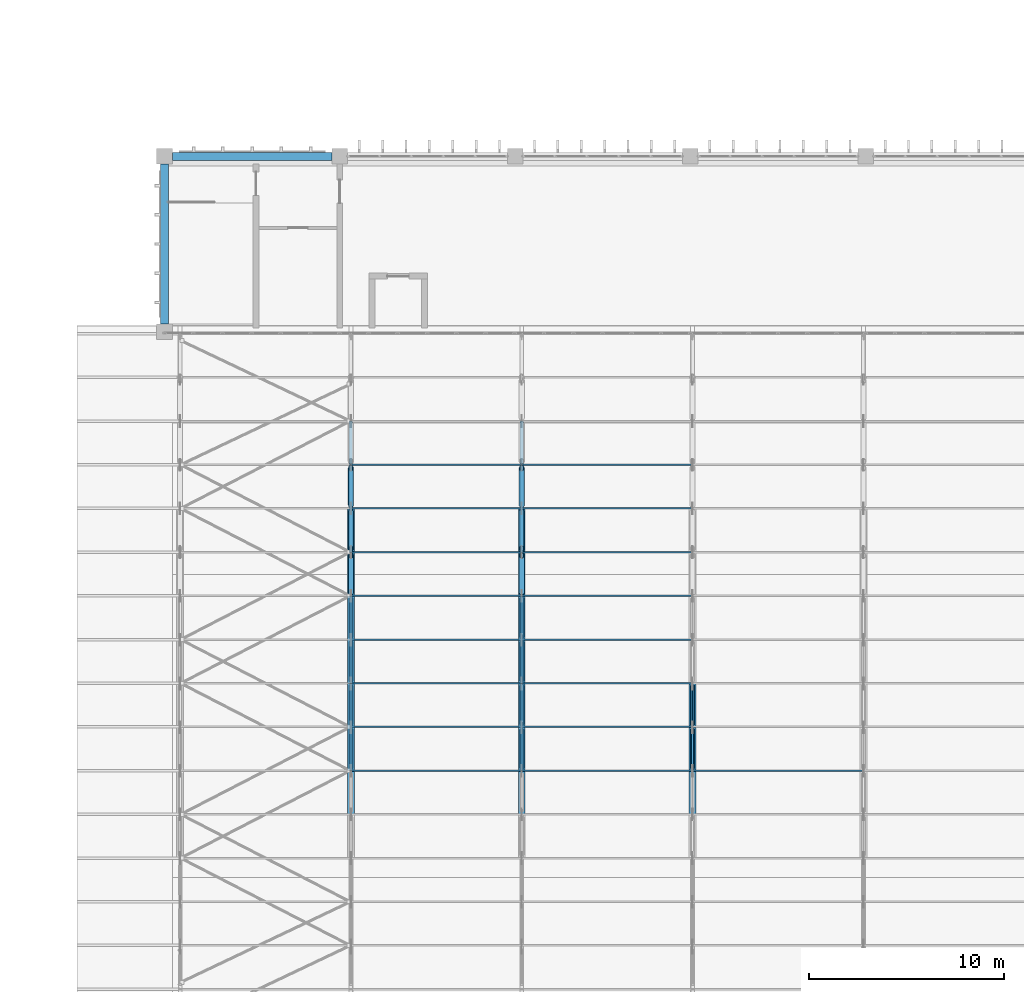
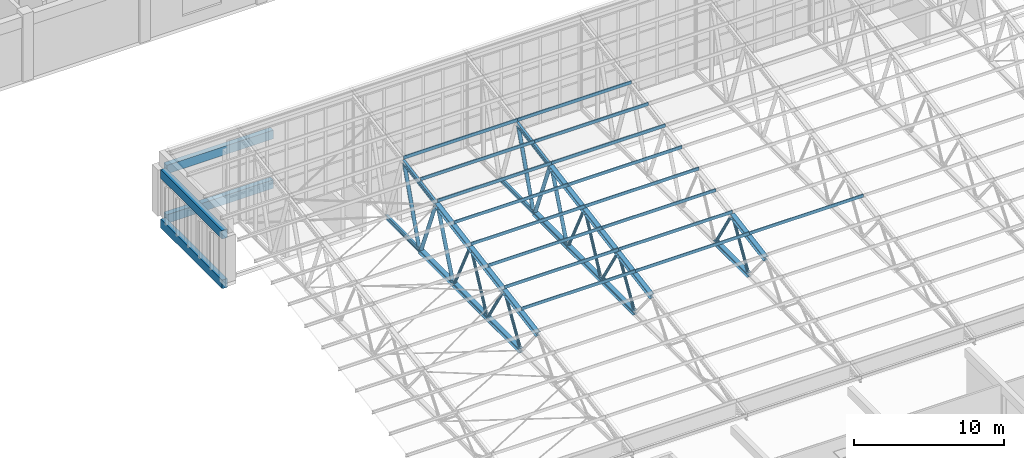
# One storey, part 52 of 185: 51 members, 4 beams.
"""IFC4 building model written with IfcOpenShell, lengths in metres."""

from ifc_helpers import new_model, si_unit, direction, frame, origin, origin_2d, place, context, subcontext, project, spatial, polyline, rectangle, hollow_circle, i_section, outline, extrude, material, material_profile, profile_set, type_object, element, save


model = new_model("IFC4")

# Units and contexts
model_context = context("Model", 3, precision=1e-05, world=origin(), true_north=direction((0.0, 1.0)))
body_context = subcontext(model_context, "Body", "Model", "MODEL_VIEW")
ifc_project = project(units=[si_unit("LENGTHUNIT", "METRE"), si_unit("AREAUNIT", "SQUARE_METRE"), si_unit("VOLUMEUNIT", "CUBIC_METRE"), si_unit("PLANEANGLEUNIT", "RADIAN"), si_unit("MASSUNIT", "GRAM", prefix="KILO")], contexts=[model_context])

# Site, building, storey
site_placement = place(None, origin())
site = spatial("IfcSite", under=ifc_project, at=site_placement, CompositionType="ELEMENT")
building_placement = place(site_placement, origin())
building = spatial("IfcBuilding", under=site, at=building_placement, Name="Opaline Strait Convention Centre", CompositionType="ELEMENT")
storey_placement = place(building_placement, frame((0.0, 0.0, 6.0)))
storey = spatial("IfcBuildingStorey", under=building, at=storey_placement, Name="L01", CompositionType="ELEMENT", Elevation=6.0)

# Beams
ifc_material_1 = material(Name="Concrete C35", Category="concrete")
ifc_material_profile_1 = material_profile(ifc_material_1, rectangle(XDim=0.39990234375, YDim=0.699951171875, at=origin_2d()), Name="RC 400x700")
ifc_profile_set_1 = profile_set([ifc_material_profile_1], Name="Concrete C35")
beam_type = type_object("IfcBeamType", Name="RC girder 400x700 C35", PredefinedType="BEAM", material=ifc_profile_set_1)
for number, where, z_axis, x_axis, name in (
    (1, (288.39990234375, 72.0, -0.6298828125), (1.0, 0.0, 0.0), (0.0, 1.0, 0.0), "BB1 girder 33/J-34/J F"),
    (2, (288.0, 63.39990234375, -0.6298828125), (0.0, 1.0, 0.0), (-1.0, 0.0, 0.0), "BB1 girder 33/H-33/J F"),
    (3, (288.39990234375, 72.0, 3.39990234375), (1.0, 0.0, 0.0), (0.0, 1.0, 0.0), "BB1 girder 33/J-34/J R"),
    (4, (288.0, 63.39990234375, 3.39990234375), (0.0, 1.0, 0.0), (-1.0, 0.0, 0.0), "BB1 girder 33/H-33/J R"),
):
    element("IfcBeam", number, at=place(storey_placement, frame(where, z_axis=z_axis, x_axis=x_axis)), inside=storey, type_object=beam_type, Name=name, PredefinedType="BEAM", context=body_context, shape_type="SweptSolid", body=[
        extrude(rectangle(XDim=0.39990234375, YDim=0.699951171875, at=origin_2d()), origin(), (0.0, 0.0, 1.0), 8.2001953125),
    ])

# Members
ifc_material_2 = material(Name="Steel Q355B", Category="steel")
ifc_material_profile_2 = material_profile(ifc_material_2, outline(polyline([(-0.03759765625, -0.125), (0.03759765625, -0.125), (0.03759765625, -0.10498046875), (0.034423828125, -0.10498046875), (0.034423828125, -0.1220703125), (-0.034423828125, -0.1220703125), (-0.034423828125, 0.1220703125), (0.034423828125, 0.1220703125), (0.034423828125, 0.10498046875), (0.03759765625, 0.10498046875), (0.03759765625, 0.125), (-0.03759765625, 0.125), (-0.03759765625, -0.125)])), Name="C 250x75x20x3")
ifc_profile_set_2 = profile_set([ifc_material_profile_2], Name="Steel Q355B")
member_type_1 = type_object("IfcMemberType", Name="Roof purlin C 250x75x20x3", PredefinedType="RAFTER", material=ifc_profile_set_2)
member_1_placement = place(storey_placement, frame((297.5712890625, 40.46240234375, 7.88427734375), z_axis=(1.0, 0.0, 0.0), x_axis=(0.0, 1.0, 0.0)))
element("IfcMember", 5, at=member_1_placement, inside=storey, type_object=member_type_1, Name="BU1 purlin line 8 bay 3", PredefinedType="RAFTER", context=body_context, shape_type="SweptSolid", body=[
    extrude(outline(polyline([(-0.03759765625, -0.125), (0.03759765625, -0.125), (0.03759765625, -0.10498046875), (0.034423828125, -0.10498046875), (0.034423828125, -0.1220703125), (-0.034423828125, -0.1220703125), (-0.034423828125, 0.1220703125), (0.034423828125, 0.1220703125), (0.034423828125, 0.10498046875), (0.03759765625, 0.10498046875), (0.03759765625, 0.125), (-0.03759765625, 0.125), (-0.03759765625, -0.125)])), origin(), (0.0, 0.0, 1.0), 8.771728515625),
])
member_2_placement = place(storey_placement, frame((306.343017578125, 40.46240234375, 7.88427734375), z_axis=(1.0, 0.0, 0.0), x_axis=(0.0, 1.0, 0.0)))
element("IfcMember", 6, at=member_2_placement, inside=storey, type_object=member_type_1, Name="BU1 purlin line 8 bay 4", PredefinedType="RAFTER", context=body_context, shape_type="SweptSolid", body=[
    extrude(outline(polyline([(-0.03759765625, -0.125), (0.03759765625, -0.125), (0.03759765625, -0.10498046875), (0.034423828125, -0.10498046875), (0.034423828125, -0.1220703125), (-0.034423828125, -0.1220703125), (-0.034423828125, 0.1220703125), (0.034423828125, 0.1220703125), (0.034423828125, 0.10498046875), (0.03759765625, 0.10498046875), (0.03759765625, 0.125), (-0.03759765625, 0.125), (-0.03759765625, -0.125)])), origin(), (0.0, 0.0, 1.0), 8.771240234375),
])
member_3_placement = place(storey_placement, frame((315.1142578125, 40.46240234375, 7.88427734375), z_axis=(1.0, 0.0, 0.0), x_axis=(0.0, 1.0, 0.0)))
element("IfcMember", 7, at=member_3_placement, inside=storey, type_object=member_type_1, Name="BU1 purlin line 8 bay 5", PredefinedType="RAFTER", context=body_context, shape_type="SweptSolid", body=[
    extrude(outline(polyline([(-0.03759765625, -0.125), (0.03759765625, -0.125), (0.03759765625, -0.10498046875), (0.034423828125, -0.10498046875), (0.034423828125, -0.1220703125), (-0.034423828125, -0.1220703125), (-0.034423828125, 0.1220703125), (0.034423828125, 0.1220703125), (0.034423828125, 0.10498046875), (0.03759765625, 0.10498046875), (0.03759765625, 0.125), (-0.03759765625, 0.125), (-0.03759765625, -0.125)])), origin(), (0.0, 0.0, 1.0), 8.771484375),
])
member_4_placement = place(storey_placement, frame((297.5712890625, 42.706298828125, 8.280029296875), z_axis=(1.0, 0.0, 0.0), x_axis=(0.0, 1.0, 0.0)))
element("IfcMember", 8, at=member_4_placement, inside=storey, type_object=member_type_1, Name="BU1 purlin line 9 bay 3", PredefinedType="RAFTER", context=body_context, shape_type="SweptSolid", body=[
    extrude(outline(polyline([(-0.03759765625, -0.125), (0.03759765625, -0.125), (0.03759765625, -0.10498046875), (0.034423828125, -0.10498046875), (0.034423828125, -0.1220703125), (-0.034423828125, -0.1220703125), (-0.034423828125, 0.1220703125), (0.034423828125, 0.1220703125), (0.034423828125, 0.10498046875), (0.03759765625, 0.10498046875), (0.03759765625, 0.125), (-0.03759765625, 0.125), (-0.03759765625, -0.125)])), origin(), (0.0, 0.0, 1.0), 8.771728515625),
])
member_5_placement = place(storey_placement, frame((306.343017578125, 42.706298828125, 8.280029296875), z_axis=(1.0, 0.0, 0.0), x_axis=(0.0, 1.0, 0.0)))
element("IfcMember", 9, at=member_5_placement, inside=storey, type_object=member_type_1, Name="BU1 purlin line 9 bay 4", PredefinedType="RAFTER", context=body_context, shape_type="SweptSolid", body=[
    extrude(outline(polyline([(-0.03759765625, -0.125), (0.03759765625, -0.125), (0.03759765625, -0.10498046875), (0.034423828125, -0.10498046875), (0.034423828125, -0.1220703125), (-0.034423828125, -0.1220703125), (-0.034423828125, 0.1220703125), (0.034423828125, 0.1220703125), (0.034423828125, 0.10498046875), (0.03759765625, 0.10498046875), (0.03759765625, 0.125), (-0.03759765625, 0.125), (-0.03759765625, -0.125)])), origin(), (0.0, 0.0, 1.0), 8.771240234375),
])
member_6_placement = place(storey_placement, frame((297.5712890625, 44.949951171875, 8.675537109375), z_axis=(1.0, 0.0, 0.0), x_axis=(0.0, 1.0, 0.0)))
element("IfcMember", 10, at=member_6_placement, inside=storey, type_object=member_type_1, Name="BU1 purlin line 10 bay 3", PredefinedType="RAFTER", context=body_context, shape_type="SweptSolid", body=[
    extrude(outline(polyline([(-0.03759765625, -0.125), (0.03759765625, -0.125), (0.03759765625, -0.10498046875), (0.034423828125, -0.10498046875), (0.034423828125, -0.1220703125), (-0.034423828125, -0.1220703125), (-0.034423828125, 0.1220703125), (0.034423828125, 0.1220703125), (0.034423828125, 0.10498046875), (0.03759765625, 0.10498046875), (0.03759765625, 0.125), (-0.03759765625, 0.125), (-0.03759765625, -0.125)])), origin(), (0.0, 0.0, 1.0), 8.771728515625),
])
member_7_placement = place(storey_placement, frame((306.343017578125, 44.949951171875, 8.675537109375), z_axis=(1.0, 0.0, 0.0), x_axis=(0.0, 1.0, 0.0)))
element("IfcMember", 11, at=member_7_placement, inside=storey, type_object=member_type_1, Name="BU1 purlin line 10 bay 4", PredefinedType="RAFTER", context=body_context, shape_type="SweptSolid", body=[
    extrude(outline(polyline([(-0.03759765625, -0.125), (0.03759765625, -0.125), (0.03759765625, -0.10498046875), (0.034423828125, -0.10498046875), (0.034423828125, -0.1220703125), (-0.034423828125, -0.1220703125), (-0.034423828125, 0.1220703125), (0.034423828125, 0.1220703125), (0.034423828125, 0.10498046875), (0.03759765625, 0.10498046875), (0.03759765625, 0.125), (-0.03759765625, 0.125), (-0.03759765625, -0.125)])), origin(), (0.0, 0.0, 1.0), 8.771240234375),
])
member_8_placement = place(storey_placement, frame((297.5712890625, 47.19384765625, 9.0712890625), z_axis=(1.0, 0.0, 0.0), x_axis=(0.0, 1.0, 0.0)))
element("IfcMember", 12, at=member_8_placement, inside=storey, type_object=member_type_1, Name="BU1 purlin line 11 bay 3", PredefinedType="RAFTER", context=body_context, shape_type="SweptSolid", body=[
    extrude(outline(polyline([(-0.03759765625, -0.125), (0.03759765625, -0.125), (0.03759765625, -0.10498046875), (0.034423828125, -0.10498046875), (0.034423828125, -0.1220703125), (-0.034423828125, -0.1220703125), (-0.034423828125, 0.1220703125), (0.034423828125, 0.1220703125), (0.034423828125, 0.10498046875), (0.03759765625, 0.10498046875), (0.03759765625, 0.125), (-0.03759765625, 0.125), (-0.03759765625, -0.125)])), origin(), (0.0, 0.0, 1.0), 8.771728515625),
])
member_9_placement = place(storey_placement, frame((306.343017578125, 47.19384765625, 9.0712890625), z_axis=(1.0, 0.0, 0.0), x_axis=(0.0, 1.0, 0.0)))
element("IfcMember", 13, at=member_9_placement, inside=storey, type_object=member_type_1, Name="BU1 purlin line 11 bay 4", PredefinedType="RAFTER", context=body_context, shape_type="SweptSolid", body=[
    extrude(outline(polyline([(-0.03759765625, -0.125), (0.03759765625, -0.125), (0.03759765625, -0.10498046875), (0.034423828125, -0.10498046875), (0.034423828125, -0.1220703125), (-0.034423828125, -0.1220703125), (-0.034423828125, 0.1220703125), (0.034423828125, 0.1220703125), (0.034423828125, 0.10498046875), (0.03759765625, 0.10498046875), (0.03759765625, 0.125), (-0.03759765625, 0.125), (-0.03759765625, -0.125)])), origin(), (0.0, 0.0, 1.0), 8.771240234375),
])
member_10_placement = place(storey_placement, frame((297.5712890625, 49.4375, 9.467041015625), z_axis=(1.0, 0.0, 0.0), x_axis=(0.0, 1.0, 0.0)))
element("IfcMember", 14, at=member_10_placement, inside=storey, type_object=member_type_1, Name="BU1 purlin line 12 bay 3", PredefinedType="RAFTER", context=body_context, shape_type="SweptSolid", body=[
    extrude(outline(polyline([(-0.03759765625, -0.125), (0.03759765625, -0.125), (0.03759765625, -0.10498046875), (0.034423828125, -0.10498046875), (0.034423828125, -0.1220703125), (-0.034423828125, -0.1220703125), (-0.034423828125, 0.1220703125), (0.034423828125, 0.1220703125), (0.034423828125, 0.10498046875), (0.03759765625, 0.10498046875), (0.03759765625, 0.125), (-0.03759765625, 0.125), (-0.03759765625, -0.125)])), origin(), (0.0, 0.0, 1.0), 8.771728515625),
])
member_11_placement = place(storey_placement, frame((306.343017578125, 49.4375, 9.467041015625), z_axis=(1.0, 0.0, 0.0), x_axis=(0.0, 1.0, 0.0)))
element("IfcMember", 15, at=member_11_placement, inside=storey, type_object=member_type_1, Name="BU1 purlin line 12 bay 4", PredefinedType="RAFTER", context=body_context, shape_type="SweptSolid", body=[
    extrude(outline(polyline([(-0.03759765625, -0.125), (0.03759765625, -0.125), (0.03759765625, -0.10498046875), (0.034423828125, -0.10498046875), (0.034423828125, -0.1220703125), (-0.034423828125, -0.1220703125), (-0.034423828125, 0.1220703125), (0.034423828125, 0.1220703125), (0.034423828125, 0.10498046875), (0.03759765625, 0.10498046875), (0.03759765625, 0.125), (-0.03759765625, 0.125), (-0.03759765625, -0.125)])), origin(), (0.0, 0.0, 1.0), 8.771240234375),
])
member_12_placement = place(storey_placement, frame((297.5712890625, 51.68115234375, 9.862548828125), z_axis=(1.0, 0.0, 0.0), x_axis=(0.0, 1.0, 0.0)))
element("IfcMember", 16, at=member_12_placement, inside=storey, type_object=member_type_1, Name="BU1 purlin line 13 bay 3", PredefinedType="RAFTER", context=body_context, shape_type="SweptSolid", body=[
    extrude(outline(polyline([(-0.03759765625, -0.125), (0.03759765625, -0.125), (0.03759765625, -0.10498046875), (0.034423828125, -0.10498046875), (0.034423828125, -0.1220703125), (-0.034423828125, -0.1220703125), (-0.034423828125, 0.1220703125), (0.034423828125, 0.1220703125), (0.034423828125, 0.10498046875), (0.03759765625, 0.10498046875), (0.03759765625, 0.125), (-0.03759765625, 0.125), (-0.03759765625, -0.125)])), origin(), (0.0, 0.0, 1.0), 8.771728515625),
])
member_13_placement = place(storey_placement, frame((306.343017578125, 51.68115234375, 9.862548828125), z_axis=(1.0, 0.0, 0.0), x_axis=(0.0, 1.0, 0.0)))
element("IfcMember", 17, at=member_13_placement, inside=storey, type_object=member_type_1, Name="BU1 purlin line 13 bay 4", PredefinedType="RAFTER", context=body_context, shape_type="SweptSolid", body=[
    extrude(outline(polyline([(-0.03759765625, -0.125), (0.03759765625, -0.125), (0.03759765625, -0.10498046875), (0.034423828125, -0.10498046875), (0.034423828125, -0.1220703125), (-0.034423828125, -0.1220703125), (-0.034423828125, 0.1220703125), (0.034423828125, 0.1220703125), (0.034423828125, 0.10498046875), (0.03759765625, 0.10498046875), (0.03759765625, 0.125), (-0.03759765625, 0.125), (-0.03759765625, -0.125)])), origin(), (0.0, 0.0, 1.0), 8.771240234375),
])
member_14_placement = place(storey_placement, frame((297.5712890625, 53.925048828125, 10.25830078125), z_axis=(1.0, 0.0, 0.0), x_axis=(0.0, 1.0, 0.0)))
element("IfcMember", 18, at=member_14_placement, inside=storey, type_object=member_type_1, Name="BU1 purlin line 14 bay 3", PredefinedType="RAFTER", context=body_context, shape_type="SweptSolid", body=[
    extrude(outline(polyline([(-0.03759765625, -0.125), (0.03759765625, -0.125), (0.03759765625, -0.10498046875), (0.034423828125, -0.10498046875), (0.034423828125, -0.1220703125), (-0.034423828125, -0.1220703125), (-0.034423828125, 0.1220703125), (0.034423828125, 0.1220703125), (0.034423828125, 0.10498046875), (0.03759765625, 0.10498046875), (0.03759765625, 0.125), (-0.03759765625, 0.125), (-0.03759765625, -0.125)])), origin(), (0.0, 0.0, 1.0), 8.771728515625),
])
member_15_placement = place(storey_placement, frame((306.343017578125, 53.925048828125, 10.25830078125), z_axis=(1.0, 0.0, 0.0), x_axis=(0.0, 1.0, 0.0)))
element("IfcMember", 19, at=member_15_placement, inside=storey, type_object=member_type_1, Name="BU1 purlin line 14 bay 4", PredefinedType="RAFTER", context=body_context, shape_type="SweptSolid", body=[
    extrude(outline(polyline([(-0.03759765625, -0.125), (0.03759765625, -0.125), (0.03759765625, -0.10498046875), (0.034423828125, -0.10498046875), (0.034423828125, -0.1220703125), (-0.034423828125, -0.1220703125), (-0.034423828125, 0.1220703125), (0.034423828125, 0.1220703125), (0.034423828125, 0.10498046875), (0.03759765625, 0.10498046875), (0.03759765625, 0.125), (-0.03759765625, 0.125), (-0.03759765625, -0.125)])), origin(), (0.0, 0.0, 1.0), 8.771240234375),
])
member_16_placement = place(storey_placement, frame((297.5712890625, 56.168701171875, 10.65380859375), z_axis=(1.0, 0.0, 0.0), x_axis=(0.0, 1.0, 0.0)))
element("IfcMember", 20, at=member_16_placement, inside=storey, type_object=member_type_1, Name="BU1 purlin line 15 bay 3", PredefinedType="RAFTER", context=body_context, shape_type="SweptSolid", body=[
    extrude(outline(polyline([(-0.03759765625, -0.125), (0.03759765625, -0.125), (0.03759765625, -0.10498046875), (0.034423828125, -0.10498046875), (0.034423828125, -0.1220703125), (-0.034423828125, -0.1220703125), (-0.034423828125, 0.1220703125), (0.034423828125, 0.1220703125), (0.034423828125, 0.10498046875), (0.03759765625, 0.10498046875), (0.03759765625, 0.125), (-0.03759765625, 0.125), (-0.03759765625, -0.125)])), origin(), (0.0, 0.0, 1.0), 8.771728515625),
])
member_17_placement = place(storey_placement, frame((306.343017578125, 56.168701171875, 10.65380859375), z_axis=(1.0, 0.0, 0.0), x_axis=(0.0, 1.0, 0.0)))
element("IfcMember", 21, at=member_17_placement, inside=storey, type_object=member_type_1, Name="BU1 purlin line 15 bay 4", PredefinedType="RAFTER", context=body_context, shape_type="SweptSolid", body=[
    extrude(outline(polyline([(-0.03759765625, -0.125), (0.03759765625, -0.125), (0.03759765625, -0.10498046875), (0.034423828125, -0.10498046875), (0.034423828125, -0.1220703125), (-0.034423828125, -0.1220703125), (-0.034423828125, 0.1220703125), (0.034423828125, 0.1220703125), (0.034423828125, 0.10498046875), (0.03759765625, 0.10498046875), (0.03759765625, 0.125), (-0.03759765625, 0.125), (-0.03759765625, -0.125)])), origin(), (0.0, 0.0, 1.0), 8.771240234375),
])
ifc_material_profile_3 = material_profile(ifc_material_2, i_section(OverallWidth=0.175048828125, OverallDepth=0.35009765625, WebThickness=0.007080078125, FlangeThickness=0.010986328125, FilletRadius=0.012939453125, at=origin_2d()), Name="HN 350x175x7x11")
ifc_profile_set_3 = profile_set([ifc_material_profile_3], Name="Steel Q355B")
member_type_2 = type_object("IfcMemberType", Name="Truss bottom chord HN 350x175x7x11", PredefinedType="CHORD", material=ifc_profile_set_3)
for number, where, z_axis, x_axis, name in (
    (22, (297.5712890625, 53.925048828125, 4.5), (0.0, 1.0, 0.0), (-1.0, 0.0, 0.0), "BT2 bottom chord line 2 panel 7"),
    (23, (306.343017578125, 53.925048828125, 4.5), (0.0, 1.0, 0.0), (-1.0, 0.0, 0.0), "BT2 bottom chord line 3 panel 7"),
):
    element("IfcMember", number, at=place(storey_placement, frame(where, z_axis=z_axis, x_axis=x_axis)), inside=storey, type_object=member_type_2, Name=name, PredefinedType="CHORD", context=body_context, shape_type="SweptSolid", body=[
        extrude(i_section(OverallWidth=0.175048828125, OverallDepth=0.35009765625, WebThickness=0.007080078125, FlangeThickness=0.010986328125, FilletRadius=0.012939453125, at=origin_2d()), origin(), (0.0, 0.0, 1.0), 4.487548828125),
    ])
ifc_material_profile_4 = material_profile(ifc_material_2, i_section(OverallWidth=0.35009765625, OverallDepth=0.35009765625, WebThickness=0.011962890625, FlangeThickness=0.01904296875, FilletRadius=0.012939453125, at=origin_2d()), Name="HW 350x350x12x19")
ifc_profile_set_4 = profile_set([ifc_material_profile_4], Name="Steel Q355B")
member_type_3 = type_object("IfcMemberType", Name="Truss bottom chord HW 350x350x12x19", PredefinedType="CHORD", material=ifc_profile_set_4)
for number, where, z_axis, x_axis, name in (
    (24, (297.5712890625, 40.46240234375, 4.5), (0.0, 1.0, 0.0), (-1.0, 0.0, 0.0), "BT4 bottom chord line 2 panel 4"),
    (25, (297.5712890625, 44.949951171875, 4.5), (0.0, 1.0, 0.0), (-1.0, 0.0, 0.0), "BT4 bottom chord line 2 panel 5"),
    (26, (297.5712890625, 49.4375, 4.5), (0.0, 1.0, 0.0), (-1.0, 0.0, 0.0), "BT4 bottom chord line 2 panel 6"),
    (27, (306.343017578125, 40.46240234375, 4.5), (0.0, 1.0, 0.0), (-1.0, 0.0, 0.0), "BT4 bottom chord line 3 panel 4"),
    (28, (306.343017578125, 44.949951171875, 4.5), (0.0, 1.0, 0.0), (-1.0, 0.0, 0.0), "BT4 bottom chord line 3 panel 5"),
    (29, (306.343017578125, 49.4375, 4.5), (0.0, 1.0, 0.0), (-1.0, 0.0, 0.0), "BT4 bottom chord line 3 panel 6"),
    (30, (315.1142578125, 40.46240234375, 4.5), (0.0, 1.0, 0.0), (-1.0, 0.0, 0.0), "BT4 bottom chord line 4 panel 4"),
):
    element("IfcMember", number, at=place(storey_placement, frame(where, z_axis=z_axis, x_axis=x_axis)), inside=storey, type_object=member_type_3, Name=name, PredefinedType="CHORD", context=body_context, shape_type="SweptSolid", body=[
        extrude(i_section(OverallWidth=0.35009765625, OverallDepth=0.35009765625, WebThickness=0.011962890625, FlangeThickness=0.01904296875, FilletRadius=0.012939453125, at=origin_2d()), origin(), (0.0, 0.0, 1.0), 4.487548828125),
    ])
ifc_material_profile_5 = material_profile(ifc_material_2, i_section(OverallWidth=0.175048828125, OverallDepth=0.35009765625, WebThickness=0.007080078125, FlangeThickness=0.010986328125, FilletRadius=0.012939453125, at=origin_2d()), Name="HN 350x175x7x11")
ifc_profile_set_5 = profile_set([ifc_material_profile_5], Name="Steel Q355B")
member_type_4 = type_object("IfcMemberType", Name="Truss top chord HN 350x175x7x11", PredefinedType="CHORD", material=ifc_profile_set_5)
for number, where, z_axis, x_axis, name in (
    (31, (297.5712890625, 51.68115234375, 9.552001953125), (0.0, 0.984808359847, 0.173644736101), (-1.0, 0.0, 0.0), "BT1 top chord line 2 panel 8"),
    (32, (306.343017578125, 51.68115234375, 9.552001953125), (0.0, 0.984808359847, 0.173644736101), (-1.0, 0.0, 0.0), "BT1 top chord line 3 panel 8"),
):
    element("IfcMember", number, at=place(storey_placement, frame(where, z_axis=z_axis, x_axis=x_axis)), inside=storey, type_object=member_type_4, Name=name, PredefinedType="CHORD", context=body_context, shape_type="SweptSolid", body=[
        extrude(i_section(OverallWidth=0.175048828125, OverallDepth=0.35009765625, WebThickness=0.007080078125, FlangeThickness=0.010986328125, FilletRadius=0.012939453125, at=origin_2d()), origin(), (0.0, 0.0, 1.0), 4.556884765625),
    ])
ifc_material_profile_6 = material_profile(ifc_material_2, i_section(OverallWidth=0.35009765625, OverallDepth=0.35009765625, WebThickness=0.011962890625, FlangeThickness=0.01904296875, FilletRadius=0.012939453125, at=origin_2d()), Name="HW 350x350x12x19")
ifc_profile_set_6 = profile_set([ifc_material_profile_6], Name="Steel Q355B")
member_type_5 = type_object("IfcMemberType", Name="Truss top chord HW 350x350x12x19", PredefinedType="CHORD", material=ifc_profile_set_6)
for number, where, z_axis, x_axis, name in (
    (33, (297.5712890625, 38.21875, 7.17822265625), (0.0, 0.984808359847, 0.173644736101), (-1.0, 0.0, 0.0), "BT3 top chord line 2 panel 5"),
    (34, (297.5712890625, 42.706298828125, 7.969482421875), (0.0, 0.984808359847, 0.173644736101), (-1.0, 0.0, 0.0), "BT3 top chord line 2 panel 6"),
):
    element("IfcMember", number, at=place(storey_placement, frame(where, z_axis=z_axis, x_axis=x_axis)), inside=storey, type_object=member_type_5, Name=name, PredefinedType="CHORD", context=body_context, shape_type="SweptSolid", body=[
        extrude(i_section(OverallWidth=0.35009765625, OverallDepth=0.35009765625, WebThickness=0.011962890625, FlangeThickness=0.01904296875, FilletRadius=0.012939453125, at=origin_2d()), origin(), (0.0, 0.0, 1.0), 4.556884765625),
    ])
member_18_placement = place(storey_placement, frame((297.5712890625, 47.19384765625, 8.7607421875), z_axis=(0.0, 0.984806744223, 0.173653898696), x_axis=(-1.0, 0.0, 0.0)))
element("IfcMember", 35, at=member_18_placement, inside=storey, type_object=member_type_5, Name="BT3 top chord line 2 panel 7", PredefinedType="CHORD", context=body_context, shape_type="SweptSolid", body=[
    extrude(i_section(OverallWidth=0.35009765625, OverallDepth=0.35009765625, WebThickness=0.011962890625, FlangeThickness=0.01904296875, FilletRadius=0.012939453125, at=origin_2d()), origin(), (0.0, 0.0, 1.0), 4.556640625),
])
for number, where, z_axis, x_axis, name in (
    (36, (306.343017578125, 38.21875, 7.17822265625), (0.0, 0.984808359847, 0.173644736101), (-1.0, 0.0, 0.0), "BT3 top chord line 3 panel 5"),
    (37, (306.343017578125, 42.706298828125, 7.969482421875), (0.0, 0.984808359847, 0.173644736101), (-1.0, 0.0, 0.0), "BT3 top chord line 3 panel 6"),
):
    element("IfcMember", number, at=place(storey_placement, frame(where, z_axis=z_axis, x_axis=x_axis)), inside=storey, type_object=member_type_5, Name=name, PredefinedType="CHORD", context=body_context, shape_type="SweptSolid", body=[
        extrude(i_section(OverallWidth=0.35009765625, OverallDepth=0.35009765625, WebThickness=0.011962890625, FlangeThickness=0.01904296875, FilletRadius=0.012939453125, at=origin_2d()), origin(), (0.0, 0.0, 1.0), 4.556884765625),
    ])
member_19_placement = place(storey_placement, frame((306.343017578125, 47.19384765625, 8.7607421875), z_axis=(0.0, 0.984806744223, 0.173653898696), x_axis=(-1.0, 0.0, 0.0)))
element("IfcMember", 38, at=member_19_placement, inside=storey, type_object=member_type_5, Name="BT3 top chord line 3 panel 7", PredefinedType="CHORD", context=body_context, shape_type="SweptSolid", body=[
    extrude(i_section(OverallWidth=0.35009765625, OverallDepth=0.35009765625, WebThickness=0.011962890625, FlangeThickness=0.01904296875, FilletRadius=0.012939453125, at=origin_2d()), origin(), (0.0, 0.0, 1.0), 4.556640625),
])
member_20_placement = place(storey_placement, frame((315.1142578125, 38.21875, 7.17822265625), z_axis=(0.0, 0.984808359847, 0.173644736101), x_axis=(-1.0, 0.0, 0.0)))
element("IfcMember", 39, at=member_20_placement, inside=storey, type_object=member_type_5, Name="BT3 top chord line 4 panel 5", PredefinedType="CHORD", context=body_context, shape_type="SweptSolid", body=[
    extrude(i_section(OverallWidth=0.35009765625, OverallDepth=0.35009765625, WebThickness=0.011962890625, FlangeThickness=0.01904296875, FilletRadius=0.012939453125, at=origin_2d()), origin(), (0.0, 0.0, 1.0), 4.556884765625),
])
ifc_material_profile_7 = material_profile(ifc_material_2, hollow_circle(Radius=0.109619140625, WallThickness=0.010009765625, at=origin_2d()), Name="CHS 219x10")
ifc_profile_set_7 = profile_set([ifc_material_profile_7], Name="Steel Q355B")
member_type_6 = type_object("IfcMemberType", Name="Truss web CHS 219x10", PredefinedType="BRACE", material=ifc_profile_set_7)
member_21_placement = place(storey_placement, frame((297.5712890625, 40.62158203125, 4.678955078125), z_axis=(0.0, 0.530004980423, 0.847994528713), x_axis=(-1.0, 0.0, 0.0)))
element("IfcMember", 40, at=member_21_placement, inside=storey, type_object=member_type_6, Name="BW3 web line 2 member 7", PredefinedType="BRACE", context=body_context, shape_type="SweptSolid", body=[
    extrude(hollow_circle(Radius=0.109619140625, WallThickness=0.010009765625, at=origin_2d()), origin(), (0.0, 0.0, 1.0), 3.633056640625),
])
member_22_placement = place(storey_placement, frame((297.5712890625, 44.79150390625, 4.678955078125), z_axis=(0.0, -0.523401596889, 0.852086127322), x_axis=(1.0, 0.0, 0.0)))
element("IfcMember", 41, at=member_22_placement, inside=storey, type_object=member_type_6, Name="BW3 web line 2 member 8", PredefinedType="BRACE", context=body_context, shape_type="SweptSolid", body=[
    extrude(hollow_circle(Radius=0.109619140625, WallThickness=0.010009765625, at=origin_2d()), origin(), (0.0, 0.0, 1.0), 3.68115234375),
])
member_23_placement = place(storey_placement, frame((297.5712890625, 45.102294921875, 4.678955078125), z_axis=(0.0, 0.447641909675, 0.89421290569), x_axis=(-1.0, 0.0, 0.0)))
element("IfcMember", 42, at=member_23_placement, inside=storey, type_object=member_type_6, Name="BW3 web line 2 member 9", PredefinedType="BRACE", context=body_context, shape_type="SweptSolid", body=[
    extrude(hollow_circle(Radius=0.109619140625, WallThickness=0.010009765625, at=origin_2d()), origin(), (0.0, 0.0, 1.0), 4.33154296875),
])
member_24_placement = place(storey_placement, frame((297.5712890625, 49.285400390625, 4.678955078125), z_axis=(0.0, -0.44283785295, 0.896601715364), x_axis=(1.0, 0.0, 0.0)))
element("IfcMember", 43, at=member_24_placement, inside=storey, type_object=member_type_6, Name="BW3 web line 2 member 10", PredefinedType="BRACE", context=body_context, shape_type="SweptSolid", body=[
    extrude(hollow_circle(Radius=0.109619140625, WallThickness=0.010009765625, at=origin_2d()), origin(), (0.0, 0.0, 1.0), 4.379638671875),
])
member_25_placement = place(storey_placement, frame((306.343017578125, 40.62158203125, 4.678955078125), z_axis=(0.0, 0.530004980423, 0.847994528713), x_axis=(-1.0, 0.0, 0.0)))
element("IfcMember", 44, at=member_25_placement, inside=storey, type_object=member_type_6, Name="BW3 web line 3 member 7", PredefinedType="BRACE", context=body_context, shape_type="SweptSolid", body=[
    extrude(hollow_circle(Radius=0.109619140625, WallThickness=0.010009765625, at=origin_2d()), origin(), (0.0, 0.0, 1.0), 3.633056640625),
])
member_26_placement = place(storey_placement, frame((306.343017578125, 44.79150390625, 4.678955078125), z_axis=(0.0, -0.523401596889, 0.852086127322), x_axis=(1.0, 0.0, 0.0)))
element("IfcMember", 45, at=member_26_placement, inside=storey, type_object=member_type_6, Name="BW3 web line 3 member 8", PredefinedType="BRACE", context=body_context, shape_type="SweptSolid", body=[
    extrude(hollow_circle(Radius=0.109619140625, WallThickness=0.010009765625, at=origin_2d()), origin(), (0.0, 0.0, 1.0), 3.68115234375),
])
member_27_placement = place(storey_placement, frame((306.343017578125, 45.102294921875, 4.678955078125), z_axis=(0.0, 0.447641909675, 0.89421290569), x_axis=(-1.0, 0.0, 0.0)))
element("IfcMember", 46, at=member_27_placement, inside=storey, type_object=member_type_6, Name="BW3 web line 3 member 9", PredefinedType="BRACE", context=body_context, shape_type="SweptSolid", body=[
    extrude(hollow_circle(Radius=0.109619140625, WallThickness=0.010009765625, at=origin_2d()), origin(), (0.0, 0.0, 1.0), 4.33154296875),
])
member_28_placement = place(storey_placement, frame((306.343017578125, 49.285400390625, 4.678955078125), z_axis=(0.0, -0.44283785295, 0.896601715364), x_axis=(1.0, 0.0, 0.0)))
element("IfcMember", 47, at=member_28_placement, inside=storey, type_object=member_type_6, Name="BW3 web line 3 member 10", PredefinedType="BRACE", context=body_context, shape_type="SweptSolid", body=[
    extrude(hollow_circle(Radius=0.109619140625, WallThickness=0.010009765625, at=origin_2d()), origin(), (0.0, 0.0, 1.0), 4.379638671875),
])
member_29_placement = place(storey_placement, frame((315.1142578125, 40.62158203125, 4.678955078125), z_axis=(0.0, 0.530004980423, 0.847994528713), x_axis=(-1.0, 0.0, 0.0)))
element("IfcMember", 48, at=member_29_placement, inside=storey, type_object=member_type_6, Name="BW3 web line 4 member 7", PredefinedType="BRACE", context=body_context, shape_type="SweptSolid", body=[
    extrude(hollow_circle(Radius=0.109619140625, WallThickness=0.010009765625, at=origin_2d()), origin(), (0.0, 0.0, 1.0), 3.633056640625),
])
member_30_placement = place(storey_placement, frame((315.1142578125, 44.79150390625, 4.678955078125), z_axis=(0.0, -0.523401596889, 0.852086127322), x_axis=(1.0, 0.0, 0.0)))
element("IfcMember", 49, at=member_30_placement, inside=storey, type_object=member_type_6, Name="BW3 web line 4 member 8", PredefinedType="BRACE", context=body_context, shape_type="SweptSolid", body=[
    extrude(hollow_circle(Radius=0.109619140625, WallThickness=0.010009765625, at=origin_2d()), origin(), (0.0, 0.0, 1.0), 3.68115234375),
])
ifc_material_profile_8 = material_profile(ifc_material_2, hollow_circle(Radius=0.136474609375, WallThickness=0.011962890625, at=origin_2d()), Name="CHS 273x12")
ifc_profile_set_8 = profile_set([ifc_material_profile_8], Name="Steel Q355B")
member_type_7 = type_object("IfcMemberType", Name="Truss web CHS 273x12", PredefinedType="BRACE", material=ifc_profile_set_8)
member_31_placement = place(storey_placement, frame((297.5712890625, 49.61474609375, 4.678955078125), z_axis=(0.0, 0.375689331062, 0.926745664423), x_axis=(-1.0, 0.0, 0.0)))
element("IfcMember", 50, at=member_31_placement, inside=storey, type_object=member_type_7, Name="BW4 web line 2 member 11", PredefinedType="BRACE", context=body_context, shape_type="SweptSolid", body=[
    extrude(hollow_circle(Radius=0.136474609375, WallThickness=0.011962890625, at=origin_2d()), origin(), (0.0, 0.0, 1.0), 5.028564453125),
])
member_32_placement = place(storey_placement, frame((297.5712890625, 53.748046875, 4.678955078125), z_axis=(0.0, -0.371547903904, 0.928413784422), x_axis=(1.0, 0.0, 0.0)))
element("IfcMember", 51, at=member_32_placement, inside=storey, type_object=member_type_7, Name="BW4 web line 2 member 12", PredefinedType="BRACE", context=body_context, shape_type="SweptSolid", body=[
    extrude(hollow_circle(Radius=0.136474609375, WallThickness=0.011962890625, at=origin_2d()), origin(), (0.0, 0.0, 1.0), 5.08642578125),
])
member_33_placement = place(storey_placement, frame((297.5712890625, 54.099365234375, 4.678955078125), z_axis=(0.0, 0.328320466783, 0.944566393162), x_axis=(-1.0, 0.0, 0.0)))
element("IfcMember", 52, at=member_33_placement, inside=storey, type_object=member_type_7, Name="BW4 web line 2 member 13", PredefinedType="BRACE", context=body_context, shape_type="SweptSolid", body=[
    extrude(hollow_circle(Radius=0.136474609375, WallThickness=0.011962890625, at=origin_2d()), origin(), (0.0, 0.0, 1.0), 5.77197265625),
])
member_34_placement = place(storey_placement, frame((306.343017578125, 49.61474609375, 4.678955078125), z_axis=(0.0, 0.375689331062, 0.926745664423), x_axis=(-1.0, 0.0, 0.0)))
element("IfcMember", 53, at=member_34_placement, inside=storey, type_object=member_type_7, Name="BW4 web line 3 member 11", PredefinedType="BRACE", context=body_context, shape_type="SweptSolid", body=[
    extrude(hollow_circle(Radius=0.136474609375, WallThickness=0.011962890625, at=origin_2d()), origin(), (0.0, 0.0, 1.0), 5.028564453125),
])
member_35_placement = place(storey_placement, frame((306.343017578125, 53.748046875, 4.678955078125), z_axis=(0.0, -0.371547903904, 0.928413784422), x_axis=(1.0, 0.0, 0.0)))
element("IfcMember", 54, at=member_35_placement, inside=storey, type_object=member_type_7, Name="BW4 web line 3 member 12", PredefinedType="BRACE", context=body_context, shape_type="SweptSolid", body=[
    extrude(hollow_circle(Radius=0.136474609375, WallThickness=0.011962890625, at=origin_2d()), origin(), (0.0, 0.0, 1.0), 5.08642578125),
])
member_36_placement = place(storey_placement, frame((306.343017578125, 54.099365234375, 4.678955078125), z_axis=(0.0, 0.328320466783, 0.944566393162), x_axis=(-1.0, 0.0, 0.0)))
element("IfcMember", 55, at=member_36_placement, inside=storey, type_object=member_type_7, Name="BW4 web line 3 member 13", PredefinedType="BRACE", context=body_context, shape_type="SweptSolid", body=[
    extrude(hollow_circle(Radius=0.136474609375, WallThickness=0.011962890625, at=origin_2d()), origin(), (0.0, 0.0, 1.0), 5.77197265625),
])

save(model, "model.ifc")
